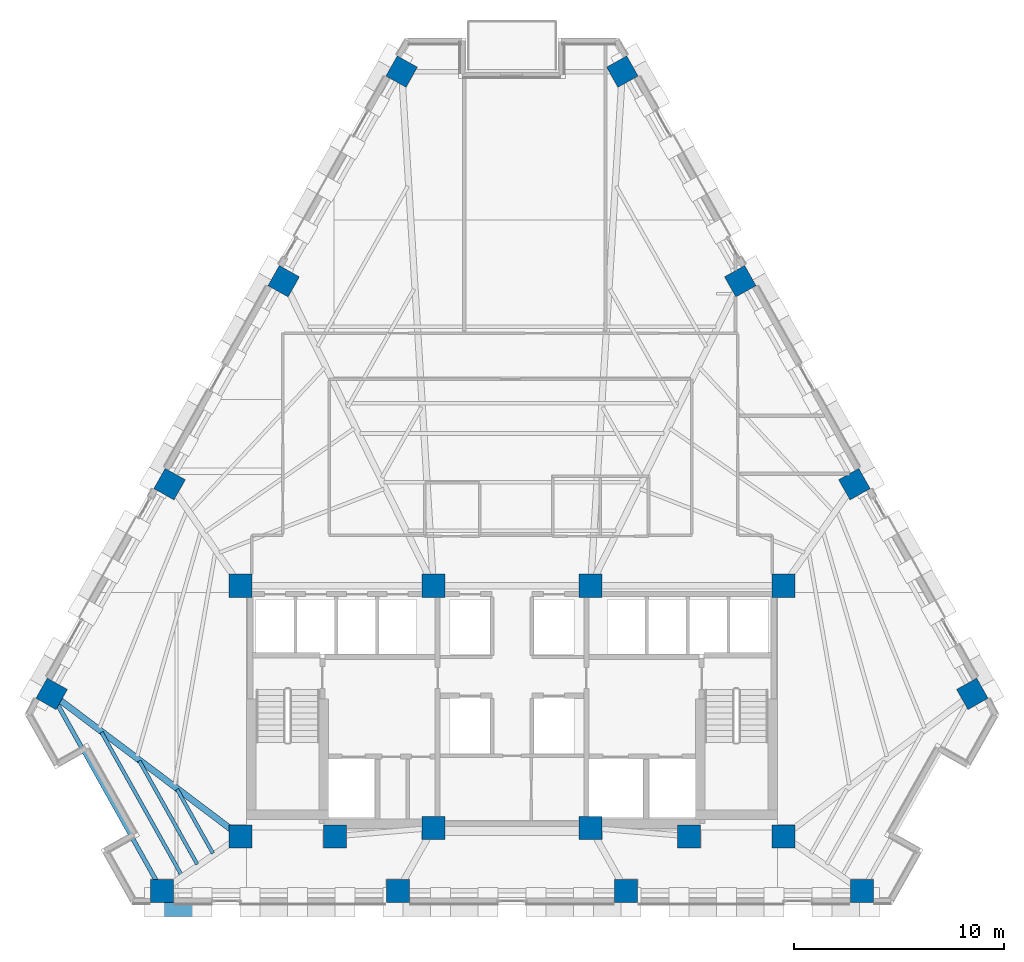
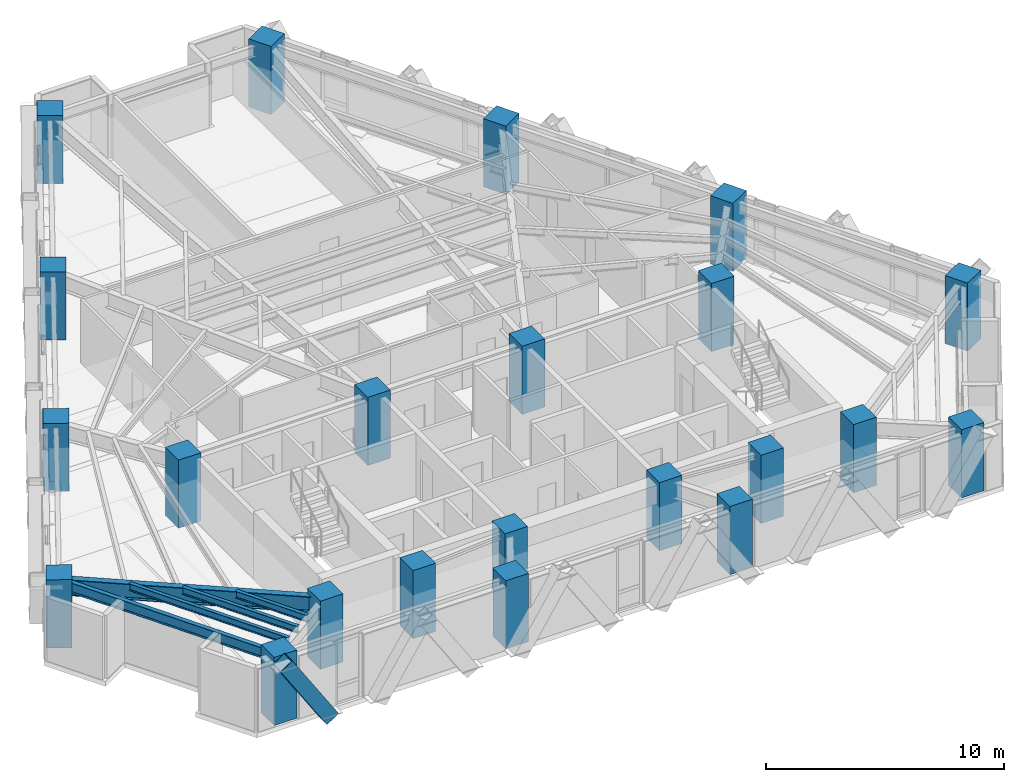
# One storey, part 1 of 13: 22 columns, 5 beams, 1 member.
"""IFC4 building model written with IfcOpenShell, lengths in metres."""

from ifc_helpers import new_model, si_unit, direction, frame, origin, origin_2d, place, context, subcontext, project, spatial, rectangle, hollow_rectangle, i_section, extrude, material, material_profile, profile_set, type_object, element, save


model = new_model("IFC4")

# Units and contexts
model_context = context("Model", 3, precision=1e-05, world=origin(), true_north=direction((0.0, 1.0)))
body_context = subcontext(model_context, "Body", "Model", "MODEL_VIEW")
ifc_project = project(units=[si_unit("LENGTHUNIT", "METRE"), si_unit("AREAUNIT", "SQUARE_METRE"), si_unit("VOLUMEUNIT", "CUBIC_METRE"), si_unit("PLANEANGLEUNIT", "RADIAN"), si_unit("MASSUNIT", "GRAM", prefix="KILO")], contexts=[model_context])

# Site, building, storey
site_placement = place(None, origin())
site = spatial("IfcSite", under=ifc_project, at=site_placement, CompositionType="ELEMENT")
building_placement = place(site_placement, origin())
building = spatial("IfcBuilding", under=site, at=building_placement, Name="Quenlor Broadcast Tower", CompositionType="ELEMENT")
storey_placement = place(building_placement, frame((0.0, 0.0, 95.0)))
storey = spatial("IfcBuildingStorey", under=building, at=storey_placement, Name="L25", CompositionType="ELEMENT", Elevation=95.0)

# Columns
ifc_material_1 = material(Name="Concrete C65/80", Category="concrete")
ifc_material_profile_1 = material_profile(ifc_material_1, rectangle(XDim=1.10009765625, YDim=1.10009765625, at=origin_2d()))
ifc_profile_set_1 = profile_set([ifc_material_profile_1], Name="Concrete C65/80 RC1100x1100")
column_type_1 = type_object("IfcColumnType", Name="Core Corner Column Mid Concrete C65/80 1100", PredefinedType="COLUMN", material=ifc_profile_set_1)
for number, where, z_axis, x_axis, name in (
    (1, (-12.949951171875, -16.75, 0.0), (0.0, 0.0, 1.0), (1.0, 0.0, 0.0), "L25 Core Column CC1"),
    (2, (-8.449951171875, -16.75, 0.0), (0.0, 0.0, 1.0), (1.0, 0.0, 0.0), "L25 Core Column CC2"),
    (3, (-3.75, -16.35009765625, 0.0), (0.0, 0.0, 1.0), (1.0, 0.0, 0.0), "L25 Core Column CC3"),
    (4, (3.75, -16.35009765625, 0.0), (0.0, 0.0, 1.0), (1.0, 0.0, 0.0), "L25 Core Column CC4"),
    (5, (8.449951171875, -16.75, 0.0), (0.0, 0.0, 1.0), (1.0, 0.0, 0.0), "L25 Core Column CC5"),
    (6, (12.949951171875, -16.75, 0.0), (0.0, 0.0, 1.0), (1.0, 0.0, 0.0), "L25 Core Column CC6"),
    (7, (-12.949951171875, -4.800048828125, 0.0), (0.0, 0.0, 1.0), (1.0, 0.0, 0.0), "L25 Core Column CC7"),
    (8, (-3.75, -4.800048828125, 0.0), (0.0, 0.0, 1.0), (1.0, 0.0, 0.0), "L25 Core Column CC8"),
    (9, (3.75, -4.800048828125, 0.0), (0.0, 0.0, 1.0), (1.0, 0.0, 0.0), "L25 Core Column CC9"),
    (10, (12.949951171875, -4.800048828125, 0.0), (0.0, 0.0, 1.0), (1.0, 0.0, 0.0), "L25 Core Column CC10"),
):
    element("IfcColumn", number, at=place(storey_placement, frame(where, z_axis=z_axis, x_axis=x_axis)), inside=storey, type_object=column_type_1, Name=name, PredefinedType="COLUMN", context=body_context, shape_type="SweptSolid", body=[
        extrude(rectangle(XDim=1.10009765625, YDim=1.10009765625, at=origin_2d()), origin(), (0.0, 0.0, 1.0), 3.5),
    ])
ifc_material_2 = material(Name="Concrete C65/80", Category="concrete")
ifc_material_profile_2 = material_profile(ifc_material_2, rectangle(XDim=1.10009765625, YDim=1.10009765625, at=origin_2d()))
ifc_profile_set_2 = profile_set([ifc_material_profile_2], Name="Concrete C65/80 RC1100x1100")
column_type_2 = type_object("IfcColumnType", Name="Tower Perimeter Column Z2 Concrete C65/80 1100", PredefinedType="COLUMN", material=ifc_profile_set_2)
for number, where, z_axis, x_axis, name in (
    (11, (-16.6923828125, -19.35009765625, 0.0), (0.0, 0.0, 1.0), (0.0, 1.0, 0.0), "L25 Perimeter Column S1"),
    (12, (-5.443115234375, -19.35009765625, 0.0), (0.0, 0.0, 1.0), (0.0, 1.0, 0.0), "L25 Perimeter Column S2"),
    (13, (5.443115234375, -19.35009765625, 0.0), (0.0, 0.0, 1.0), (0.0, 1.0, 0.0), "L25 Perimeter Column S3"),
    (14, (16.6923828125, -19.35009765625, 0.0), (0.0, 0.0, 1.0), (0.0, 1.0, 0.0), "L25 Perimeter Column S4"),
    (15, (21.95458984375, -9.95654296875, 0.0), (0.0, 0.0, 1.0), (0.871575139605, 0.490261946333, 0.0), "L25 Perimeter Column NE1"),
    (16, (16.330078125, 0.04296875, 0.0), (0.0, 0.0, 1.0), (0.871575139605, 0.490261946333, 0.0), "L25 Perimeter Column NE2"),
    (17, (10.886962890625, 9.7197265625, 0.0), (0.0, 0.0, 1.0), (0.871575139605, 0.490261946333, 0.0), "L25 Perimeter Column NE3"),
    (18, (5.26220703125, 19.718994140625, 0.0), (0.0, 0.0, 1.0), (0.871575139605, 0.490261946333, 0.0), "L25 Perimeter Column NE4"),
    (19, (-5.26220703125, 19.718994140625, 0.0), (0.0, 0.0, 1.0), (-0.871575139605, 0.490261946333, 0.0), "L25 Perimeter Column NW1"),
    (20, (-10.886962890625, 9.7197265625, 0.0), (0.0, 0.0, 1.0), (-0.871575139605, 0.490261946333, 0.0), "L25 Perimeter Column NW2"),
    (21, (-16.330078125, 0.04296875, 0.0), (0.0, 0.0, 1.0), (-0.871575139605, 0.490261946333, 0.0), "L25 Perimeter Column NW3"),
    (22, (-21.95458984375, -9.95654296875, 0.0), (0.0, 0.0, 1.0), (-0.871575139605, 0.490261946333, 0.0), "L25 Perimeter Column NW4"),
):
    element("IfcColumn", number, at=place(storey_placement, frame(where, z_axis=z_axis, x_axis=x_axis)), inside=storey, type_object=column_type_2, Name=name, PredefinedType="COLUMN", context=body_context, shape_type="SweptSolid", body=[
        extrude(rectangle(XDim=1.10009765625, YDim=1.10009765625, at=origin_2d()), origin(), (0.0, 0.0, 1.0), 3.5),
    ])

# Member
ifc_material_3 = material(Name="Steel S355", Category="steel")
ifc_material_profile_3 = material_profile(ifc_material_3, hollow_rectangle(XDim=0.679931640625, YDim=0.679931640625, WallThickness=0.030029296875, at=origin_2d()))
ifc_profile_set_3 = profile_set([ifc_material_profile_3], Name="Steel S355 RHS680x680x30")
member_type = type_object("IfcMemberType", Name="Perimeter Diagonal Lattice Brace Z2 Steel S355 RHS680x30", PredefinedType="BRACE", material=ifc_profile_set_3)
member_placement = place(storey_placement, frame((-14.78515625, -20.235107421875, -0.1201171875), z_axis=(-0.539968035679, 0.0, 0.841685523485), x_axis=(0.0, -1.0, 0.0)))
element("IfcMember", 23, at=member_placement, inside=storey, type_object=member_type, Name="L25 Perimeter Diamond Lattice S-C5S", PredefinedType="BRACE", context=body_context, shape_type="SweptSolid", body=[
    extrude(hollow_rectangle(XDim=0.679931640625, YDim=0.679931640625, WallThickness=0.030029296875, at=origin_2d()), origin(), (0.0, 0.0, 1.0), 4.158203125),
])

# Beams
ifc_material_4 = material(Name="Steel S355", Category="steel")
ifc_material_profile_4 = material_profile(ifc_material_4, i_section(OverallWidth=0.208984375, OverallDepth=0.5283203125, WebThickness=0.009521484375, FlangeThickness=0.01318359375, FilletRadius=0.013916015625, at=origin_2d()))
ifc_profile_set_4 = profile_set([ifc_material_profile_4], Name="Steel S355 530UB82.0")
beam_type_1 = type_object("IfcBeamType", Name="Perimeter Spandrel Beam Z2 Steel S355 530UB82.0", PredefinedType="SPANDREL", material=ifc_profile_set_4)
beam_1_placement = place(storey_placement, frame((-21.75439453125, -10.314208984375, 2.98583984375), z_axis=(0.488749102779, -0.872424389006, 0.0), x_axis=(0.872424389006, 0.488749102779, 0.0)))
element("IfcBeam", 24, at=beam_1_placement, inside=storey, type_object=beam_type_1, Name="L25 Spandrel Beam NW4-S1", PredefinedType="SPANDREL", context=body_context, shape_type="SweptSolid", body=[
    extrude(i_section(OverallWidth=0.208984375, OverallDepth=0.5283203125, WebThickness=0.009521484375, FlangeThickness=0.01318359375, FilletRadius=0.013916015625, at=origin_2d()), origin(), (0.0, 0.0, 1.0), 9.947021484375),
])
ifc_material_5 = material(Name="Steel S355", Category="steel")
ifc_material_profile_5 = material_profile(ifc_material_5, i_section(OverallWidth=0.300048828125, OverallDepth=0.81591796875, WebThickness=0.013916015625, FlangeThickness=0.028076171875, FilletRadius=0.013916015625, at=origin_2d()))
ifc_profile_set_5 = profile_set([ifc_material_profile_5], Name="Steel S355 800WB192")
beam_type_2 = type_object("IfcBeamType", Name="Sky Lobby Primary Girder Steel S355 800WB192", PredefinedType="BEAM", material=ifc_profile_set_5)
beam_2_placement = place(storey_placement, frame((-21.62744140625, -10.203369140625, 2.842041015625), z_axis=(0.798298724007, -0.602261693327, 0.0), x_axis=(0.602261693327, 0.798298724007, 0.0)))
element("IfcBeam", 25, at=beam_2_placement, inside=storey, type_object=beam_type_2, Name="L25 Primary Radial Beam NW4", PredefinedType="BEAM", context=body_context, shape_type="SweptSolid", body=[
    extrude(i_section(OverallWidth=0.300048828125, OverallDepth=0.81591796875, WebThickness=0.013916015625, FlangeThickness=0.028076171875, FilletRadius=0.013916015625, at=origin_2d()), origin(), (0.0, 0.0, 1.0), 10.48974609375),
])
ifc_material_6 = material(Name="Steel S355", Category="steel")
ifc_material_profile_6 = material_profile(ifc_material_6, i_section(OverallWidth=0.172119140625, OverallDepth=0.358642578125, WebThickness=0.008056640625, FlangeThickness=0.012939453125, FilletRadius=0.011474609375, at=origin_2d()))
ifc_profile_set_6 = profile_set([ifc_material_profile_6], Name="Steel S355 360UB56.7")
beam_type_3 = type_object("IfcBeamType", Name="Tower Composite Joist Z2-Z3 Steel S355 360UB56.7", PredefinedType="JOIST", material=ifc_profile_set_6)
beam_3_placement = place(storey_placement, frame((-14.261474609375, -17.564208984375, 3.07080078125), z_axis=(-0.488730779643, 0.87243465373, 0.0), x_axis=(-0.87243465373, -0.488730779643, 0.0)))
element("IfcBeam", 26, at=beam_3_placement, inside=storey, type_object=beam_type_3, Name="L25 Secondary Composite Joist 19", PredefinedType="JOIST", context=body_context, shape_type="SweptSolid", body=[
    extrude(i_section(OverallWidth=0.172119140625, OverallDepth=0.358642578125, WebThickness=0.008056640625, FlangeThickness=0.012939453125, FilletRadius=0.011474609375, at=origin_2d()), origin(), (0.0, 0.0, 1.0), 3.500732421875),
])
beam_4_placement = place(storey_placement, frame((-15.010009765625, -18.084228515625, 3.07080078125), z_axis=(-0.488741419435, 0.87242869332, 0.0), x_axis=(-0.87242869332, -0.488741419435, 0.0)))
element("IfcBeam", 27, at=beam_4_placement, inside=storey, type_object=beam_type_3, Name="L25 Secondary Composite Joist 20", PredefinedType="JOIST", context=body_context, shape_type="SweptSolid", body=[
    extrude(i_section(OverallWidth=0.172119140625, OverallDepth=0.358642578125, WebThickness=0.008056640625, FlangeThickness=0.012939453125, FilletRadius=0.011474609375, at=origin_2d()), origin(), (0.0, 0.0, 1.0), 5.654052734375),
])
beam_5_placement = place(storey_placement, frame((-15.758544921875, -18.604248046875, 3.07080078125), z_axis=(-0.488732857155, 0.872433489922, 0.0), x_axis=(-0.872433489922, -0.488732857155, 0.0)))
element("IfcBeam", 28, at=beam_5_placement, inside=storey, type_object=beam_type_3, Name="L25 Secondary Composite Joist 21", PredefinedType="JOIST", context=body_context, shape_type="SweptSolid", body=[
    extrude(i_section(OverallWidth=0.172119140625, OverallDepth=0.358642578125, WebThickness=0.008056640625, FlangeThickness=0.012939453125, FilletRadius=0.011474609375, at=origin_2d()), origin(), (0.0, 0.0, 1.0), 7.807861328125),
])

save(model, "model.ifc")
